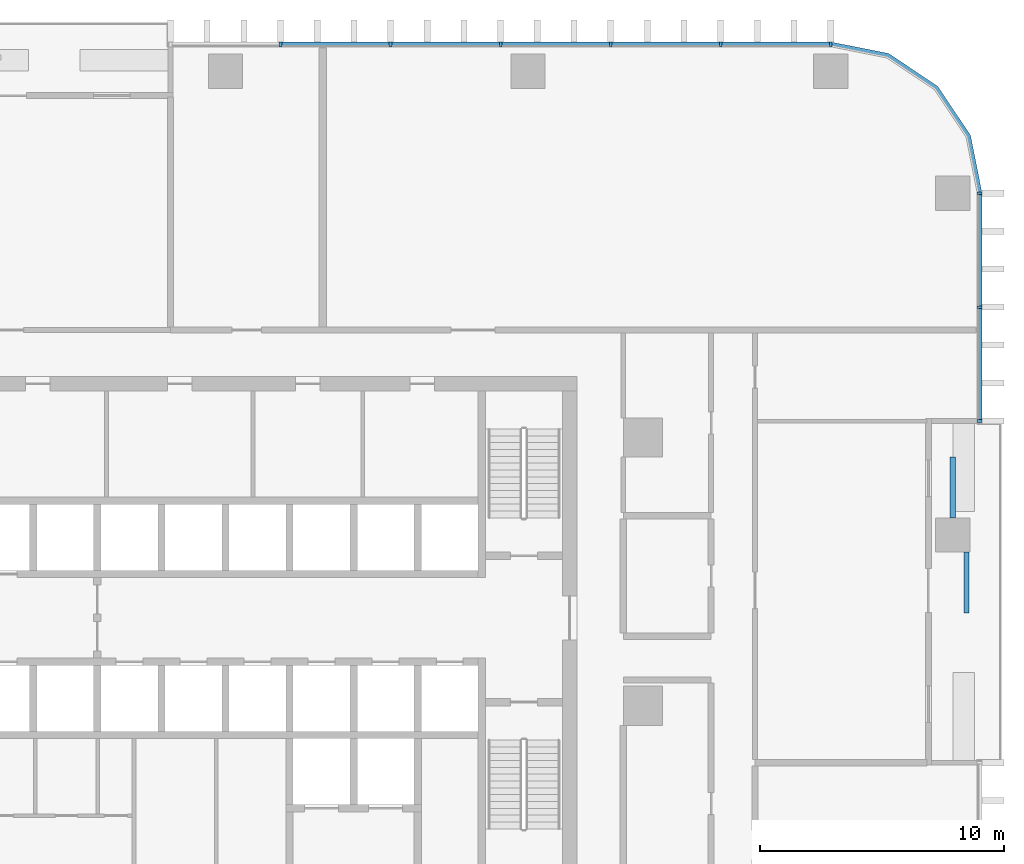
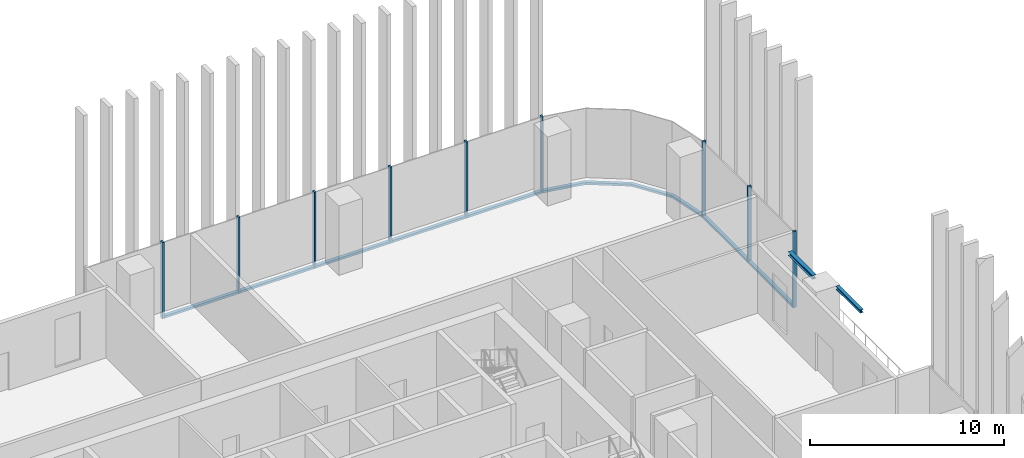
# One storey, part 5 of 17: 17 members, 2 beams, 3 elements without a shape of their own.
"""IFC4 building model written with IfcOpenShell, lengths in metres."""

from ifc_helpers import new_model, si_unit, direction, frame, origin, origin_2d, place, context, subcontext, project, spatial, polyline, rectangle, i_section, outline, extrude, material, material_profile, profile_set, type_object, element, aggregate, save


model = new_model("IFC4")

# Units and contexts
model_context = context("Model", 3, precision=1e-05, world=origin(), true_north=direction((0.0, 1.0)))
body_context = subcontext(model_context, "Body", "Model", "MODEL_VIEW")
ifc_project = project(units=[si_unit("LENGTHUNIT", "METRE"), si_unit("AREAUNIT", "SQUARE_METRE"), si_unit("VOLUMEUNIT", "CUBIC_METRE"), si_unit("PLANEANGLEUNIT", "RADIAN"), si_unit("MASSUNIT", "GRAM", prefix="KILO")], contexts=[model_context])

# Site, building, storey
site_placement = place(None, origin())
site = spatial("IfcSite", under=ifc_project, at=site_placement, CompositionType="ELEMENT")
building_placement = place(site_placement, origin())
building = spatial("IfcBuilding", under=site, at=building_placement, Name="Mopane Tessera Tower", CompositionType="ELEMENT")
storey_placement = place(building_placement, frame((0.0, 0.0, 74.199951171875)))
storey = spatial("IfcBuildingStorey", under=building, at=storey_placement, Name="L14", CompositionType="ELEMENT", Elevation=74.199951171875)

# Curtain wall, members
ifc_material_1 = material(Name="Aluminium frame", Category="aluminium")
curtain_wall_type = type_object("IfcCurtainWallType", Name="Lower tower unitised wall", PredefinedType="NOTDEFINED", material=ifc_material_1)
curtain_wall_1_placement = place(storey_placement, origin())
curtain_wall_1 = element("IfcCurtainWall", 1, at=curtain_wall_1_placement, inside=storey, type_object=curtain_wall_type, Name="e:cw:L14:E:7", PredefinedType="NOTDEFINED")
ifc_material_2 = material(Name="Aluminium frame", Category="aluminium")
ifc_material_profile_1 = material_profile(ifc_material_2, rectangle(XDim=0.110107421875, YDim=0.199951171875, at=origin_2d()))
ifc_profile_set_1 = profile_set([ifc_material_profile_1], Name="Aluminium frame")
member_type_1 = type_object("IfcMemberType", Name="Aluminium mullion 110 x 200", PredefinedType="MULLION", material=ifc_profile_set_1)
member_1_placement = place(storey_placement, frame((30.89990234375, 11.666748046875, -0.449951171875), z_axis=(0.0, 0.0, 1.0), x_axis=(0.0, 1.0, 0.0)))
member_1 = element("IfcMember", 2, at=member_1_placement, type_object=member_type_1, Name="e:cw:L14:E:7:mu7", PredefinedType="MULLION", context=body_context, shape_type="SweptSolid", body=[
    extrude(rectangle(XDim=0.110107421875, YDim=0.199951171875, at=origin_2d()), origin(), (0.0, 0.0, 1.0), 4.800048828125),
])
member_2_placement = place(storey_placement, frame((30.89990234375, 16.333251953125, -0.449951171875), z_axis=(0.0, 0.0, 1.0), x_axis=(0.0, 1.0, 0.0)))
member_2 = element("IfcMember", 3, at=member_2_placement, type_object=member_type_1, Name="e:cw:L14:E:7:mu8", PredefinedType="MULLION", context=body_context, shape_type="SweptSolid", body=[
    extrude(rectangle(XDim=0.110107421875, YDim=0.199951171875, at=origin_2d()), origin(), (0.0, 0.0, 1.0), 4.800048828125),
])
member_3_placement = place(storey_placement, frame((30.89990234375, 21.0, -0.449951171875), z_axis=(0.0, 0.0, 1.0), x_axis=(0.0, 1.0, 0.0)))
member_3 = element("IfcMember", 4, at=member_3_placement, type_object=member_type_1, Name="e:cw:L14:E:7:mu9", PredefinedType="MULLION", context=body_context, shape_type="SweptSolid", body=[
    extrude(rectangle(XDim=0.110107421875, YDim=0.199951171875, at=origin_2d()), origin(), (0.0, 0.0, 1.0), 4.800048828125),
])

curtain_wall_2_placement = place(storey_placement, origin())
curtain_wall_2 = element("IfcCurtainWall", 5, at=curtain_wall_2_placement, inside=storey, type_object=curtain_wall_type, Name="e:cw:L14:N:0", PredefinedType="NOTDEFINED")
member_4_placement = place(storey_placement, frame((24.800048828125, 27.10009765625, -0.449951171875), z_axis=(0.0, 0.0, 1.0), x_axis=(-1.0, 0.0, 0.0)))
member_4 = element("IfcMember", 6, at=member_4_placement, type_object=member_type_1, Name="e:cw:L14:N:0:mu0", PredefinedType="MULLION", context=body_context, shape_type="SweptSolid", body=[
    extrude(rectangle(XDim=0.110107421875, YDim=0.199951171875, at=origin_2d()), origin(), (0.0, 0.0, 1.0), 4.800048828125),
])
member_5_placement = place(storey_placement, frame((20.291015625, 27.10009765625, -0.449951171875), z_axis=(0.0, 0.0, 1.0), x_axis=(-1.0, 0.0, 0.0)))
member_5 = element("IfcMember", 7, at=member_5_placement, type_object=member_type_1, Name="e:cw:L14:N:0:mu1", PredefinedType="MULLION", context=body_context, shape_type="SweptSolid", body=[
    extrude(rectangle(XDim=0.110107421875, YDim=0.199951171875, at=origin_2d()), origin(), (0.0, 0.0, 1.0), 4.800048828125),
])
member_6_placement = place(storey_placement, frame((15.78173828125, 27.10009765625, -0.449951171875), z_axis=(0.0, 0.0, 1.0), x_axis=(-1.0, 0.0, 0.0)))
member_6 = element("IfcMember", 8, at=member_6_placement, type_object=member_type_1, Name="e:cw:L14:N:0:mu2", PredefinedType="MULLION", context=body_context, shape_type="SweptSolid", body=[
    extrude(rectangle(XDim=0.110107421875, YDim=0.199951171875, at=origin_2d()), origin(), (0.0, 0.0, 1.0), 4.800048828125),
])
member_7_placement = place(storey_placement, frame((11.272705078125, 27.10009765625, -0.449951171875), z_axis=(0.0, 0.0, 1.0), x_axis=(-1.0, 0.0, 0.0)))
member_7 = element("IfcMember", 9, at=member_7_placement, type_object=member_type_1, Name="e:cw:L14:N:0:mu3", PredefinedType="MULLION", context=body_context, shape_type="SweptSolid", body=[
    extrude(rectangle(XDim=0.110107421875, YDim=0.199951171875, at=origin_2d()), origin(), (0.0, 0.0, 1.0), 4.800048828125),
])
member_8_placement = place(storey_placement, frame((6.763671875, 27.10009765625, -0.449951171875), z_axis=(0.0, 0.0, 1.0), x_axis=(-1.0, 0.0, 0.0)))
member_8 = element("IfcMember", 10, at=member_8_placement, type_object=member_type_1, Name="e:cw:L14:N:0:mu4", PredefinedType="MULLION", context=body_context, shape_type="SweptSolid", body=[
    extrude(rectangle(XDim=0.110107421875, YDim=0.199951171875, at=origin_2d()), origin(), (0.0, 0.0, 1.0), 4.800048828125),
])
member_9_placement = place(storey_placement, frame((2.254638671875, 27.10009765625, -0.449951171875), z_axis=(0.0, 0.0, 1.0), x_axis=(-1.0, 0.0, 0.0)))
member_9 = element("IfcMember", 11, at=member_9_placement, type_object=member_type_1, Name="e:cw:L14:N:0:mu5", PredefinedType="MULLION", context=body_context, shape_type="SweptSolid", body=[
    extrude(rectangle(XDim=0.110107421875, YDim=0.199951171875, at=origin_2d()), origin(), (0.0, 0.0, 1.0), 4.800048828125),
])

# Member
ifc_material_3 = material(Name="Aluminium frame", Category="aluminium")
ifc_material_profile_2 = material_profile(ifc_material_3, rectangle(XDim=0.199951171875, YDim=0.139892578125, at=origin_2d()))
ifc_profile_set_2 = profile_set([ifc_material_profile_2], Name="Aluminium frame")
member_type_2 = type_object("IfcMemberType", Name="Aluminium transom 200 x 140", PredefinedType="USERDEFINED", material=ifc_profile_set_2)
member_10_placement = place(storey_placement, frame((30.89990234375, 11.7216796875, -0.3798828125), z_axis=(0.0, 1.0, 0.0), x_axis=(-1.0, 0.0, 0.0)))
member_10 = element("IfcMember", 12, at=member_10_placement, type_object=member_type_2, Name="e:cw:L14:E:7:tr7", ObjectType="TRANSOM", PredefinedType="USERDEFINED", context=body_context, shape_type="SweptSolid", body=[
    extrude(rectangle(XDim=0.199951171875, YDim=0.139892578125, at=origin_2d()), origin(), (0.0, 0.0, 1.0), 4.556640625),
])

member_11_placement = place(storey_placement, frame((30.89990234375, 16.388427734375, -0.3798828125), z_axis=(0.0, 1.0, 0.0), x_axis=(-1.0, 0.0, 0.0)))
member_11 = element("IfcMember", 13, at=member_11_placement, type_object=member_type_2, Name="e:cw:L14:E:7:tr8", ObjectType="TRANSOM", PredefinedType="USERDEFINED", context=body_context, shape_type="SweptSolid", body=[
    extrude(rectangle(XDim=0.199951171875, YDim=0.139892578125, at=origin_2d()), origin(), (0.0, 0.0, 1.0), 4.556640625),
])

aggregate(curtain_wall_1, [member_1, member_2, member_3, member_10, member_11])

# Curtain wall, member
curtain_wall_3_placement = place(storey_placement, origin())
curtain_wall_3 = element("IfcCurtainWall", 14, at=curtain_wall_3_placement, inside=storey, type_object=curtain_wall_type, Name="e:cw:L14:CE", PredefinedType="NOTDEFINED")
member_12_placement = place(storey_placement, frame((0.0, 0.0, -0.449951171875)))
member_12 = element("IfcMember", 15, at=member_12_placement, type_object=member_type_2, Name="e:cw:L14:CE:tr", ObjectType="TRANSOM", PredefinedType="USERDEFINED", context=body_context, shape_type="SweptSolid", body=[
    extrude(outline(polyline([(30.800048828125, 21.0), (30.34326171875, 23.296142578125), (29.042724609375, 25.24267578125), (27.09619140625, 26.543212890625), (24.800048828125, 27.0), (24.800048828125, 27.199951171875), (27.172607421875, 26.72802734375), (29.18408203125, 25.384033203125), (30.528076171875, 23.37255859375), (31.0, 21.0), (30.800048828125, 21.0)])), origin(), (0.0, 0.0, 1.0), 0.139892578125),
])
aggregate(curtain_wall_3, [member_12])

# Member
member_13_placement = place(storey_placement, frame((24.7451171875, 27.10009765625, -0.3798828125), z_axis=(-1.0, 0.0, 0.0), x_axis=(0.0, -1.0, 0.0)))
member_13 = element("IfcMember", 16, at=member_13_placement, type_object=member_type_2, Name="e:cw:L14:N:0:tr0", ObjectType="TRANSOM", PredefinedType="USERDEFINED", context=body_context, shape_type="SweptSolid", body=[
    extrude(rectangle(XDim=0.199951171875, YDim=0.139892578125, at=origin_2d()), origin(), (0.0, 0.0, 1.0), 4.399169921875),
])

member_14_placement = place(storey_placement, frame((20.23583984375, 27.10009765625, -0.3798828125), z_axis=(-1.0, 0.0, 0.0), x_axis=(0.0, -1.0, 0.0)))
member_14 = element("IfcMember", 17, at=member_14_placement, type_object=member_type_2, Name="e:cw:L14:N:0:tr1", ObjectType="TRANSOM", PredefinedType="USERDEFINED", context=body_context, shape_type="SweptSolid", body=[
    extrude(rectangle(XDim=0.199951171875, YDim=0.139892578125, at=origin_2d()), origin(), (0.0, 0.0, 1.0), 4.39892578125),
])

member_15_placement = place(storey_placement, frame((15.726806640625, 27.10009765625, -0.3798828125), z_axis=(-1.0, 0.0, 0.0), x_axis=(0.0, -1.0, 0.0)))
member_15 = element("IfcMember", 18, at=member_15_placement, type_object=member_type_2, Name="e:cw:L14:N:0:tr2", ObjectType="TRANSOM", PredefinedType="USERDEFINED", context=body_context, shape_type="SweptSolid", body=[
    extrude(rectangle(XDim=0.199951171875, YDim=0.139892578125, at=origin_2d()), origin(), (0.0, 0.0, 1.0), 4.399169921875),
])

member_16_placement = place(storey_placement, frame((11.2177734375, 27.10009765625, -0.3798828125), z_axis=(-1.0, 0.0, 0.0), x_axis=(0.0, -1.0, 0.0)))
member_16 = element("IfcMember", 19, at=member_16_placement, type_object=member_type_2, Name="e:cw:L14:N:0:tr3", ObjectType="TRANSOM", PredefinedType="USERDEFINED", context=body_context, shape_type="SweptSolid", body=[
    extrude(rectangle(XDim=0.199951171875, YDim=0.139892578125, at=origin_2d()), origin(), (0.0, 0.0, 1.0), 4.399169921875),
])

member_17_placement = place(storey_placement, frame((6.708740234375, 27.10009765625, -0.3798828125), z_axis=(-1.0, 0.0, 0.0), x_axis=(0.0, -1.0, 0.0)))
member_17 = element("IfcMember", 20, at=member_17_placement, type_object=member_type_2, Name="e:cw:L14:N:0:tr4", ObjectType="TRANSOM", PredefinedType="USERDEFINED", context=body_context, shape_type="SweptSolid", body=[
    extrude(rectangle(XDim=0.199951171875, YDim=0.139892578125, at=origin_2d()), origin(), (0.0, 0.0, 1.0), 4.399169921875),
])

aggregate(curtain_wall_2, [member_4, member_5, member_6, member_7, member_8, member_9, member_13, member_14, member_15, member_16, member_17])

# Beams
ifc_material_4 = material(Name="Structural steel S460", Category="steel")
ifc_material_profile_3 = material_profile(ifc_material_4, i_section(OverallWidth=0.239990234375, OverallDepth=0.239990234375, WebThickness=0.010009765625, FlangeThickness=0.01708984375, FilletRadius=0.02099609375, at=origin_2d()))
ifc_profile_set_3 = profile_set([ifc_material_profile_3], Name="Structural steel S460")
beam_type_1 = type_object("IfcBeamType", Name="Terrace spandrel beam HE 240 B", PredefinedType="SPANDREL", material=ifc_profile_set_3)
beam_1_placement = place(storey_placement, frame((29.800048828125, 7.702880859375, 4.22998046875), z_axis=(0.0, 1.0, 0.0), x_axis=(-1.0, 0.0, 0.0)))
element("IfcBeam", 21, at=beam_1_placement, inside=storey, type_object=beam_type_1, Name="Terrace spandrel beam N1 L15", PredefinedType="SPANDREL", context=body_context, shape_type="SweptSolid", body=[
    extrude(i_section(OverallWidth=0.239990234375, OverallDepth=0.239990234375, WebThickness=0.010009765625, FlangeThickness=0.01708984375, FilletRadius=0.02099609375, at=origin_2d()), origin(), (0.0, 0.0, 1.0), 2.5),
])
ifc_material_5 = material(Name="Structural steel S460", Category="steel")
ifc_material_profile_4 = material_profile(ifc_material_5, i_section(OverallWidth=0.199951171875, OverallDepth=0.199951171875, WebThickness=0.009033203125, FlangeThickness=0.014892578125, FilletRadius=0.01806640625, at=origin_2d()))
ifc_profile_set_4 = profile_set([ifc_material_profile_4], Name="Structural steel S460")
beam_type_2 = type_object("IfcBeamType", Name="Terrace trimmer beam HE 200 B", PredefinedType="BEAM", material=ifc_profile_set_4)
beam_2_placement = place(storey_placement, frame((30.360107421875, 6.297119140625, 4.25), z_axis=(0.0, -1.0, 0.0), x_axis=(1.0, 0.0, 0.0)))
element("IfcBeam", 22, at=beam_2_placement, inside=storey, type_object=beam_type_2, Name="Terrace trimmer beam N1 L15", PredefinedType="BEAM", context=body_context, shape_type="SweptSolid", body=[
    extrude(i_section(OverallWidth=0.199951171875, OverallDepth=0.199951171875, WebThickness=0.009033203125, FlangeThickness=0.014892578125, FilletRadius=0.01806640625, at=origin_2d()), origin(), (0.0, 0.0, 1.0), 2.5),
])

save(model, "model.ifc")
